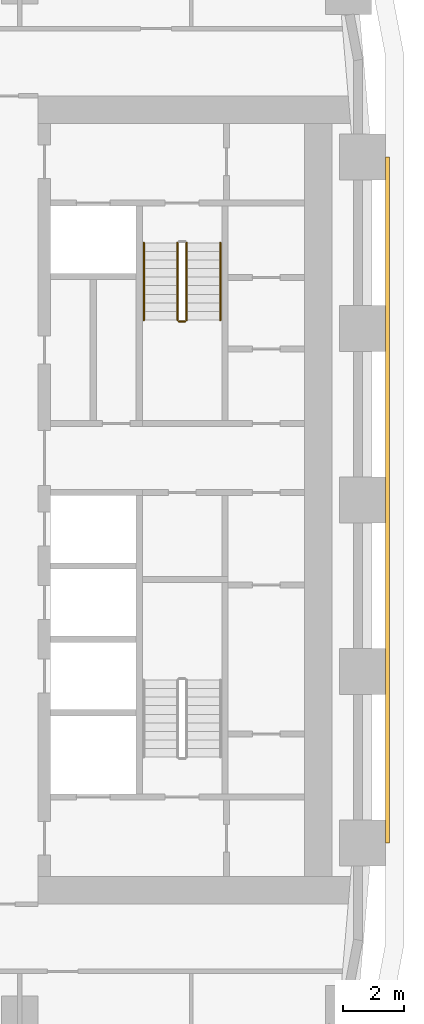
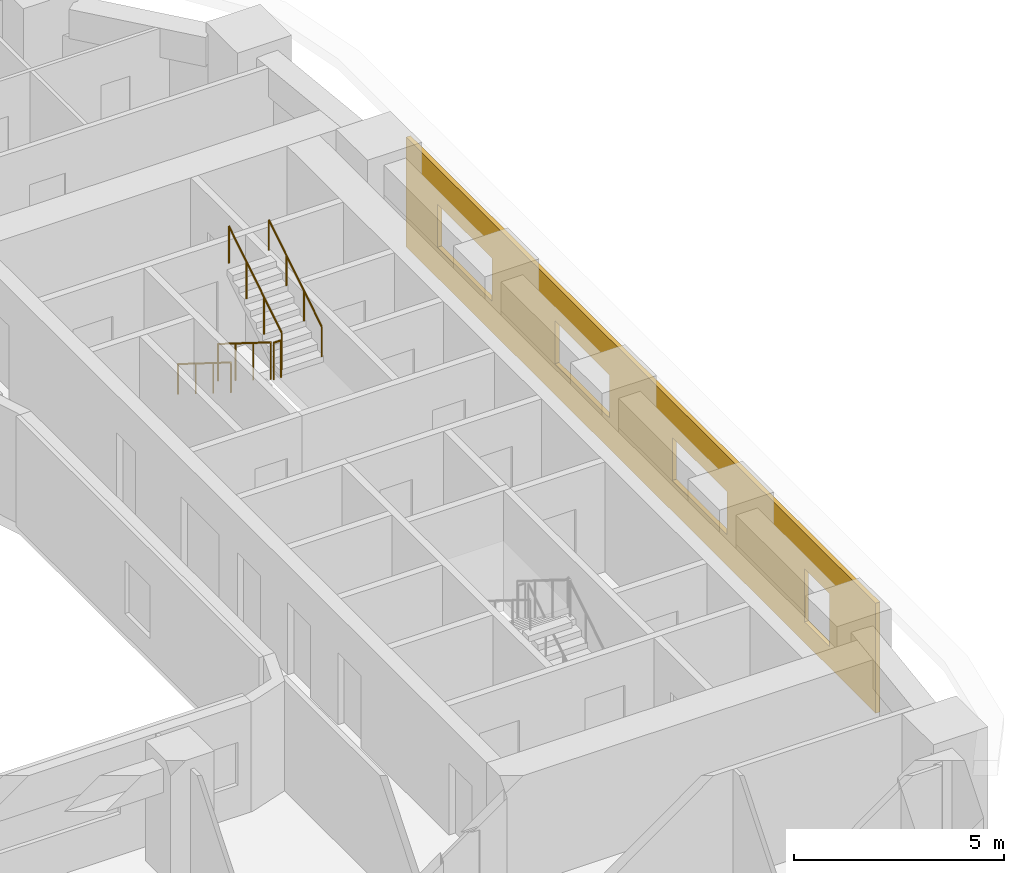
# One storey, part 19 of 22: 5 railings, 1 covering.
"""IFC4 building model written with IfcOpenShell, lengths in metres."""

from ifc_helpers import new_model, si_unit, direction, frame, origin, origin_2d, place, context, subcontext, project, spatial, polyline, circle, outline, extrude, material, layer, layer_set, type_object, element, save


model = new_model("IFC4")

# Units and contexts
model_context = context("Model", 3, precision=1e-05, world=origin(), true_north=direction((0.0, 1.0)))
body_context = subcontext(model_context, "Body", "Model", "MODEL_VIEW")
ifc_project = project(units=[si_unit("LENGTHUNIT", "METRE"), si_unit("AREAUNIT", "SQUARE_METRE"), si_unit("VOLUMEUNIT", "CUBIC_METRE"), si_unit("PLANEANGLEUNIT", "RADIAN"), si_unit("MASSUNIT", "GRAM", prefix="KILO")], contexts=[model_context])

# Site, building, storey
site_placement = place(None, origin())
site = spatial("IfcSite", under=ifc_project, at=site_placement, CompositionType="ELEMENT")
building_placement = place(site_placement, origin())
building = spatial("IfcBuilding", under=site, at=building_placement, Name="Kiln Ring Residences", CompositionType="ELEMENT")
storey_placement = place(building_placement, frame((0.0, 0.0, 44.5)))
storey = spatial("IfcBuildingStorey", under=building, at=storey_placement, Name="L10", CompositionType="ELEMENT", Elevation=44.5)

# Railings
ifc_material_1 = material(Name="Stainless steel", Category="steel")
railing_type_1 = type_object("IfcRailingType", Name="CORE-STAIR-GUARD", PredefinedType="GUARDRAIL", material=ifc_material_1)
railing_1_placement = place(storey_placement, frame((21.949951171875, 8.39990234375, 0.175048828125)))
element("IfcRailing", 1, at=railing_1_placement, inside=storey, type_object=railing_type_1, Name="L10 E-STN stair guard 1", PredefinedType="GUARDRAIL", context=body_context, shape_type="SweptSolid", body=[
    extrude(circle(Radius=0.02392578125, at=origin_2d()), frame((0.0, 0.0, 1.076171875), z_axis=(0.0, -0.848007534815, 0.529984170421), x_axis=(1.0, 0.0, 0.0)), (0.0, 0.0, 1.0), 2.9716796875),
    extrude(circle(Radius=0.02099609375, at=origin_2d()), origin(), (0.0, 0.0, 1.0), 1.052001953125),
    extrude(circle(Radius=0.02099609375, at=origin_2d()), frame((0.0, -0.840087890625, 0.52490234375)), (0.0, 0.0, 1.0), 1.052001953125),
    extrude(circle(Radius=0.02099609375, at=origin_2d()), frame((0.0, -1.679931640625, 1.050048828125)), (0.0, 0.0, 1.0), 1.052001953125),
    extrude(circle(Radius=0.02099609375, at=origin_2d()), frame((0.0, -2.52001953125, 1.574951171875)), (0.0, 0.0, 1.0), 1.052001953125),
])
railing_2_placement = place(storey_placement, frame((22.0, 5.830078125, 1.75)))
element("IfcRailing", 2, at=railing_2_placement, inside=storey, type_object=railing_type_1, Name="L10 E-STN stair guard 2", PredefinedType="GUARDRAIL", context=body_context, shape_type="SweptSolid", body=[
    extrude(circle(Radius=0.02392578125, at=origin_2d()), frame((0.0, 0.0, 1.076171875), z_axis=(1.0, 0.0, 0.0), x_axis=(0.0, 1.0, 0.0)), (0.0, 0.0, 1.0), 0.199951171875),
    extrude(circle(Radius=0.02099609375, at=origin_2d()), origin(), (0.0, 0.0, 1.0), 1.052001953125),
    extrude(circle(Radius=0.02099609375, at=origin_2d()), frame((0.199951171875, 0.0, 0.0)), (0.0, 0.0, 1.0), 1.052001953125),
])
railing_3_placement = place(storey_placement, frame((22.25, 5.8798828125, 1.925048828125)))
element("IfcRailing", 3, at=railing_3_placement, inside=storey, type_object=railing_type_1, Name="L10 E-STN stair guard 3", PredefinedType="GUARDRAIL", context=body_context, shape_type="SweptSolid", body=[
    extrude(circle(Radius=0.02392578125, at=origin_2d()), frame((0.0, 0.0, 1.076171875), z_axis=(0.0, 0.848007534815, 0.529984170421), x_axis=(-1.0, 0.0, 0.0)), (0.0, 0.0, 1.0), 2.9716796875),
    extrude(circle(Radius=0.02099609375, at=origin_2d()), origin(), (0.0, 0.0, 1.0), 1.052001953125),
    extrude(circle(Radius=0.02099609375, at=origin_2d()), frame((0.0, 0.840087890625, 0.52490234375)), (0.0, 0.0, 1.0), 1.052001953125),
    extrude(circle(Radius=0.02099609375, at=origin_2d()), frame((0.0, 1.679931640625, 1.050048828125)), (0.0, 0.0, 1.0), 1.052001953125),
    extrude(circle(Radius=0.02099609375, at=origin_2d()), frame((0.0, 2.52001953125, 1.574951171875)), (0.0, 0.0, 1.0), 1.052001953125),
])
ifc_material_2 = material(Name="Stainless steel", Category="steel")
railing_type_2 = type_object("IfcRailingType", Name="CORE-STAIR-HANDRAIL", PredefinedType="HANDRAIL", material=ifc_material_2)
railing_4_placement = place(storey_placement, frame((20.85009765625, 8.39990234375, 0.175048828125)))
element("IfcRailing", 4, at=railing_4_placement, inside=storey, type_object=railing_type_2, Name="L10 E-STN stair handrail 1", PredefinedType="HANDRAIL", context=body_context, shape_type="SweptSolid", body=[
    extrude(circle(Radius=0.02392578125, at=origin_2d()), frame((0.0, 0.0, 0.8759765625), z_axis=(0.0, -0.848007534815, 0.529984170421), x_axis=(1.0, 0.0, 0.0)), (0.0, 0.0, 1.0), 2.9716796875),
    extrude(circle(Radius=0.02099609375, at=origin_2d()), origin(), (0.0, 0.0, 1.0), 0.851806640625),
    extrude(circle(Radius=0.02099609375, at=origin_2d()), frame((0.0, -0.840087890625, 0.52490234375)), (0.0, 0.0, 1.0), 0.851806640625),
    extrude(circle(Radius=0.02099609375, at=origin_2d()), frame((0.0, -1.679931640625, 1.050048828125)), (0.0, 0.0, 1.0), 0.851806640625),
    extrude(circle(Radius=0.02099609375, at=origin_2d()), frame((0.0, -2.52001953125, 1.574951171875)), (0.0, 0.0, 1.0), 0.851806640625),
])
railing_5_placement = place(storey_placement, frame((23.35009765625, 5.8798828125, 1.925048828125)))
element("IfcRailing", 5, at=railing_5_placement, inside=storey, type_object=railing_type_2, Name="L10 E-STN stair handrail 2", PredefinedType="HANDRAIL", context=body_context, shape_type="SweptSolid", body=[
    extrude(circle(Radius=0.02392578125, at=origin_2d()), frame((0.0, 0.0, 0.8759765625), z_axis=(0.0, 0.848007534815, 0.529984170421), x_axis=(-1.0, 0.0, 0.0)), (0.0, 0.0, 1.0), 2.9716796875),
    extrude(circle(Radius=0.02099609375, at=origin_2d()), origin(), (0.0, 0.0, 1.0), 0.851806640625),
    extrude(circle(Radius=0.02099609375, at=origin_2d()), frame((0.0, 0.840087890625, 0.52490234375)), (0.0, 0.0, 1.0), 0.851806640625),
    extrude(circle(Radius=0.02099609375, at=origin_2d()), frame((0.0, 1.679931640625, 1.050048828125)), (0.0, 0.0, 1.0), 0.851806640625),
    extrude(circle(Radius=0.02099609375, at=origin_2d()), frame((0.0, 2.52001953125, 1.574951171875)), (0.0, 0.0, 1.0), 0.851806640625),
])

# Covering
ifc_material_3 = material(Name="Brick masonry, dark clay brick", Category="masonry")
ifc_layer = layer(ifc_material_3, 0.1201171875)
ifc_layer_set = layer_set([ifc_layer], Name="RAINSCREEN PANEL 120")
covering_type = type_object("IfcCoveringType", Name="RAINSCREEN PANEL 120", PredefinedType="CLADDING", material=ifc_layer_set)
covering_placement = place(storey_placement, frame((28.81005859375, -11.199951171875, 0.0), z_axis=(0.0, 0.0, 1.0), x_axis=(0.0, 1.0, 0.0)))
element("IfcCovering", 6, at=covering_placement, inside=storey, type_object=covering_type, Name="RAINSCREEN L10", PredefinedType="CLADDING", context=body_context, shape_type="SweptSolid", body=[
    extrude(outline(polyline([(0.0, 0.0), (22.39990234375, 0.0), (22.39990234375, 3.199951171875), (0.0, 3.199951171875), (0.0, 0.0)]), holes=[polyline([(3.39990234375, 0.60009765625), (3.39990234375, 2.14990234375), (2.199951171875, 2.14990234375), (2.199951171875, 0.60009765625), (3.39990234375, 0.60009765625)]), polyline([(9.699951171875, 0.89990234375), (9.699951171875, 2.14990234375), (7.10009765625, 2.14990234375), (7.10009765625, 0.89990234375), (9.699951171875, 0.89990234375)]), polyline([(15.300048828125, 0.89990234375), (15.300048828125, 2.14990234375), (12.699951171875, 2.14990234375), (12.699951171875, 0.89990234375), (15.300048828125, 0.89990234375)]), polyline([(20.89990234375, 0.89990234375), (20.89990234375, 2.14990234375), (18.300048828125, 2.14990234375), (18.300048828125, 0.89990234375), (20.89990234375, 0.89990234375)])]), frame((0.0, 0.06005859375, 0.0), z_axis=(0.0, -1.0, 0.0), x_axis=(1.0, 0.0, 0.0)), (0.0, 0.0, 1.0), 0.1201171875),
])

save(model, "model.ifc")
